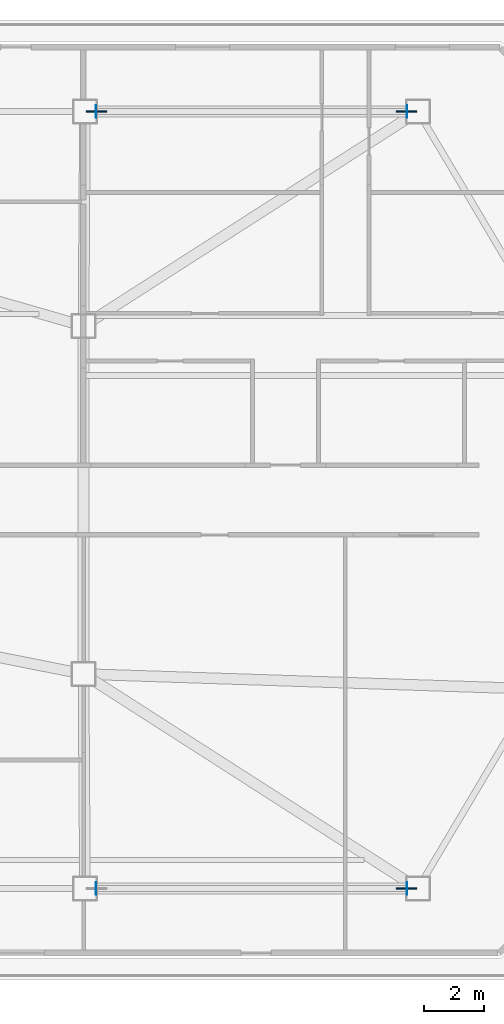
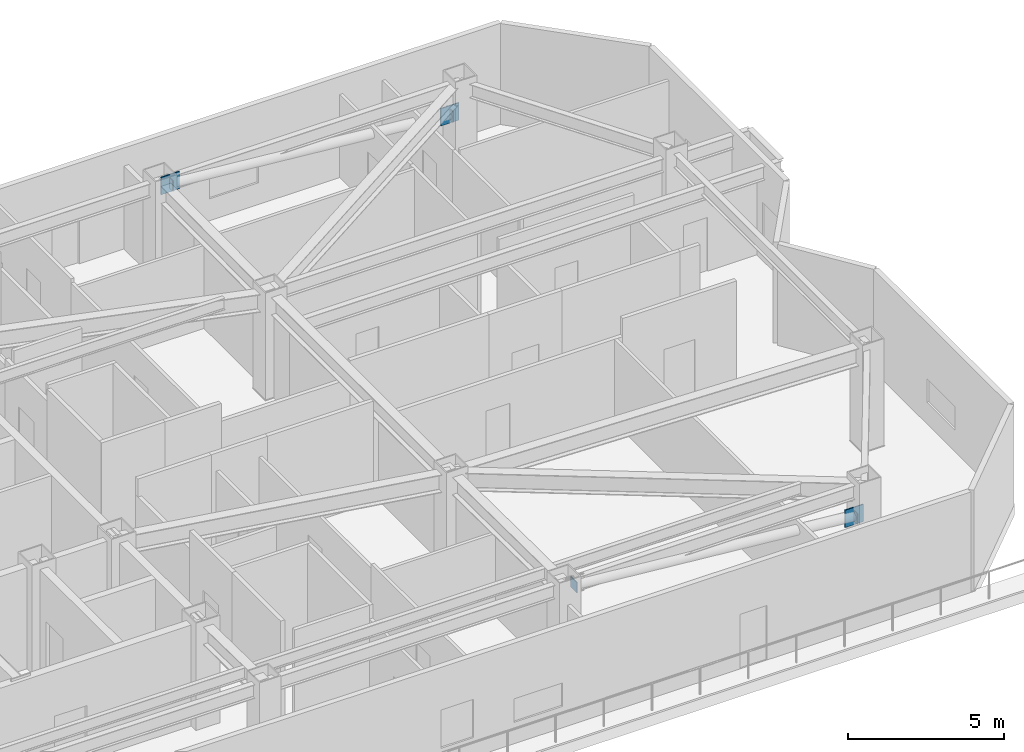
# One storey, part 3 of 11: 7 plates.
"""IFC4 building model written with IfcOpenShell, lengths in metres."""

from ifc_helpers import new_model, si_unit, direction, frame, origin, origin_2d, place, context, subcontext, project, spatial, rectangle, extrude, material, layer, layer_set, type_object, element, save


model = new_model("IFC4")

# Units and contexts
model_context = context("Model", 3, precision=1e-05, world=origin(), true_north=direction((0.0, 1.0)))
body_context = subcontext(model_context, "Body", "Model", "MODEL_VIEW")
ifc_project = project(units=[si_unit("LENGTHUNIT", "METRE"), si_unit("AREAUNIT", "SQUARE_METRE"), si_unit("VOLUMEUNIT", "CUBIC_METRE"), si_unit("PLANEANGLEUNIT", "RADIAN"), si_unit("MASSUNIT", "GRAM", prefix="KILO")], contexts=[model_context])

# Site, building, storey
site_placement = place(None, origin())
site = spatial("IfcSite", under=ifc_project, at=site_placement, CompositionType="ELEMENT")
building_placement = place(site_placement, origin())
building = spatial("IfcBuilding", under=site, at=building_placement, Name="Khamvora Tower", CompositionType="ELEMENT")
storey_placement = place(building_placement, frame((0.0, 0.0, 269.449951171875)))
storey = spatial("IfcBuildingStorey", under=building, at=storey_placement, Name="L69", CompositionType="ELEMENT", Elevation=269.449951171875)

# Plates
ifc_material_1 = material(Name="Steel S355", Category="steel")
ifc_layer_1 = layer(ifc_material_1, 0.02490234375)
ifc_layer_set_1 = layer_set([ifc_layer_1], Name="Steel S355")
plate_type_1 = type_object("IfcPlateType", Name="PL-CAP-25", PredefinedType="SHEET", material=ifc_layer_set_1)
for number, where, z_axis, x_axis, name in (
    (1, (61.283935546875, 15.050048828125, 2.505126953125), (0.0, 0.0, 1.0), (-1.0, 0.0, 0.0), "L69 hollow section steel end cap plate 1215"),
    (2, (50.916015625, 15.050048828125, 3.442138671875), (0.0, 0.0, 1.0), (-1.0, 0.0, 0.0), "L69 hollow section steel end cap plate 1216"),
    (3, (61.283935546875, 40.949951171875, 2.505126953125), (0.0, 0.0, 1.0), (-1.0, 0.0, 0.0), "L69 hollow section steel end cap plate 1217"),
    (4, (50.916015625, 40.949951171875, 3.442138671875), (0.0, 0.0, 1.0), (-1.0, 0.0, 0.0), "L69 hollow section steel end cap plate 1218"),
):
    element("IfcPlate", number, at=place(storey_placement, frame(where, z_axis=z_axis, x_axis=x_axis)), inside=storey, type_object=plate_type_1, Name=name, PredefinedType="SHEET", context=body_context, shape_type="SweptSolid", body=[
        extrude(rectangle(XDim=0.02490234375, YDim=0.416015625, at=origin_2d()), origin(), (0.0, 0.0, 1.0), 0.416015625),
    ])
ifc_material_2 = material(Name="Steel S460", Category="steel")
ifc_layer_2 = layer(ifc_material_2, 0.0400390625)
ifc_layer_set_2 = layer_set([ifc_layer_2], Name="Steel S460")
plate_type_2 = type_object("IfcPlateType", Name="PLT-GUS-40", PredefinedType="SHEET", material=ifc_layer_set_2)
for number, where, z_axis, x_axis, name in (
    (5, (61.27197265625, 15.050048828125, 2.3740234375), (0.0, 0.0, 1.0), (1.0, 0.0, 0.0), "L69 brace connection node gusset plate 0433"),
    (6, (61.27197265625, 40.949951171875, 2.3740234375), (0.0, 0.0, 1.0), (1.0, 0.0, 0.0), "L69 brace connection node gusset plate 0435"),
    (7, (50.927978515625, 40.949951171875, 3.30908203125), (0.0, 0.0, 1.0), (1.0, 0.0, 0.0), "L69 brace connection node gusset plate 0436"),
):
    element("IfcPlate", number, at=place(storey_placement, frame(where, z_axis=z_axis, x_axis=x_axis)), inside=storey, type_object=plate_type_2, Name=name, PredefinedType="SHEET", context=body_context, shape_type="SweptSolid", body=[
        extrude(rectangle(XDim=0.679931640625, YDim=0.0400390625, at=origin_2d()), origin(), (0.0, 0.0, 1.0), 0.679931640625),
    ])

save(model, "model.ifc")
